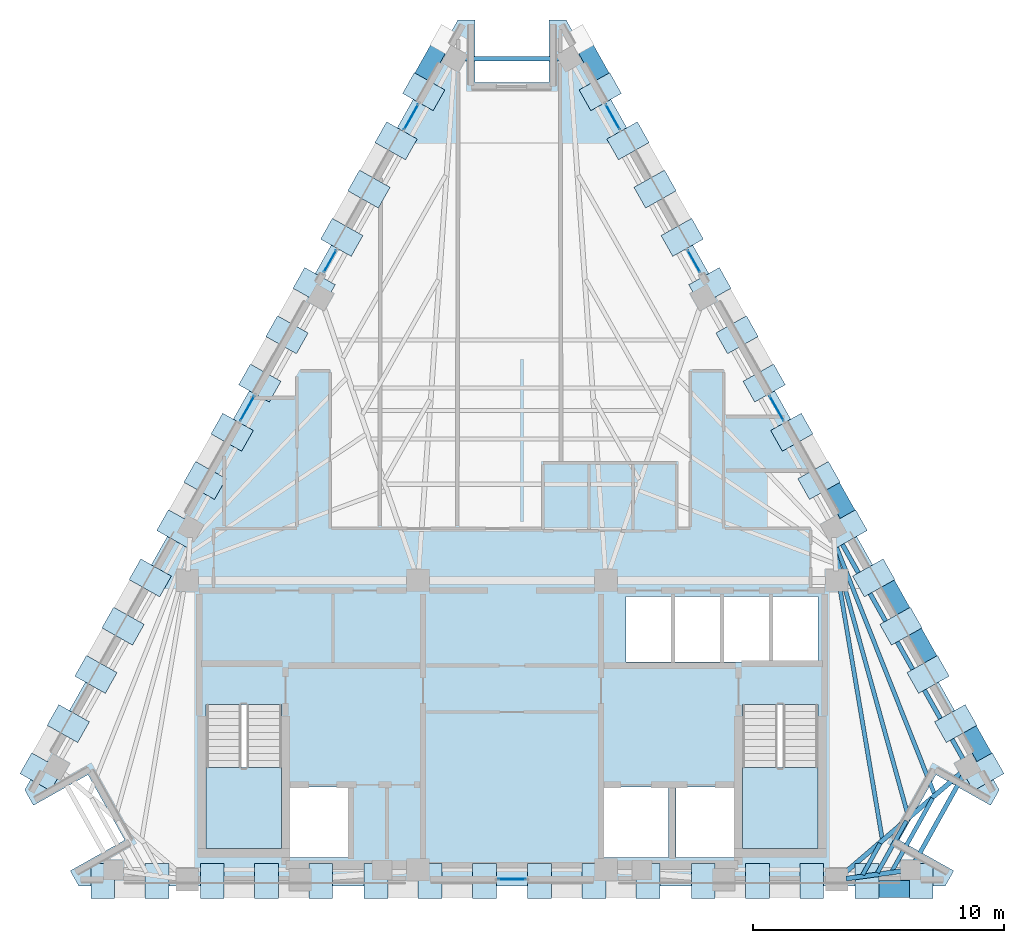
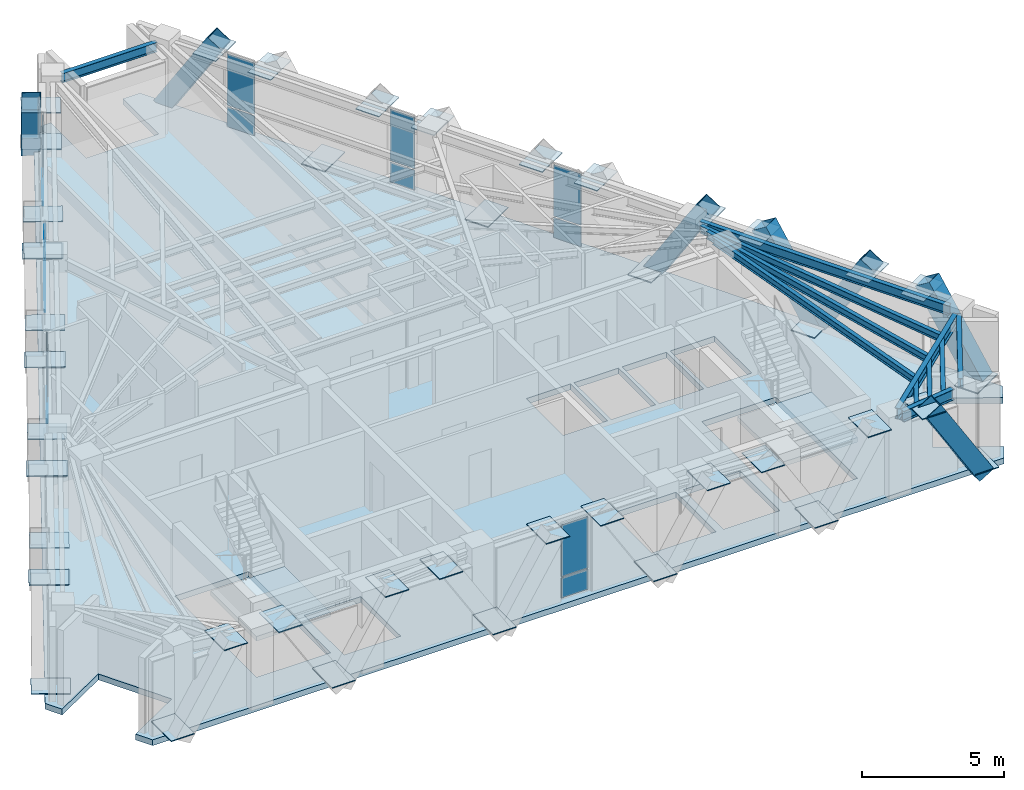
# One storey, part 4 of 9: 60 plates, 11 beams, 7 members, 3 slabs, 9 elements without a shape of their own.
"""IFC4 building model written with IfcOpenShell, lengths in metres."""

from ifc_helpers import new_model, si_unit, direction, frame, origin, origin_2d, place, context, subcontext, project, spatial, polyline, rectangle, hollow_rectangle, i_section, outline, extrude, material, layer, layer_set, material_profile, profile_set, type_object, element, aggregate, save


model = new_model("IFC4")

# Units and contexts
model_context = context("Model", 3, precision=1e-05, world=origin(), true_north=direction((0.0, 1.0)))
body_context = subcontext(model_context, "Body", "Model", "MODEL_VIEW")
ifc_project = project(units=[si_unit("LENGTHUNIT", "METRE"), si_unit("AREAUNIT", "SQUARE_METRE"), si_unit("VOLUMEUNIT", "CUBIC_METRE"), si_unit("PLANEANGLEUNIT", "RADIAN"), si_unit("MASSUNIT", "GRAM", prefix="KILO")], contexts=[model_context])

# Site, building, storey
site_placement = place(None, origin())
site = spatial("IfcSite", under=ifc_project, at=site_placement, CompositionType="ELEMENT")
building_placement = place(site_placement, origin())
building = spatial("IfcBuilding", under=site, at=building_placement, Name="Quenlor Broadcast Tower", CompositionType="ELEMENT")
storey_placement = place(building_placement, frame((0.0, 0.0, 260.39990234375)))
storey = spatial("IfcBuildingStorey", under=building, at=storey_placement, Name="L72", CompositionType="ELEMENT", Elevation=260.39990234375)

# Members
ifc_material_1 = material(Name="Steel S355", Category="steel")
ifc_material_profile_1 = material_profile(ifc_material_1, hollow_rectangle(XDim=0.679931640625, YDim=0.679931640625, WallThickness=0.02001953125, at=origin_2d()))
ifc_profile_set_1 = profile_set([ifc_material_profile_1], Name="Steel S355 RHS680x680x20")
member_type = type_object("IfcMemberType", Name="Perimeter Diagonal Lattice Brace Z5-Crown Steel S355 RHS680x20", PredefinedType="BRACE", material=ifc_profile_set_1)
member_placement = place(storey_placement, frame((16.31689453125, -17.1201171875, -0.119873046875), z_axis=(-0.523616565236, 0.0, 0.85195404372), x_axis=(0.0, -1.0, 0.0)))
element("IfcMember", 1, at=member_placement, inside=storey, type_object=member_type, Name="L72 Perimeter Diamond Lattice S-C1S", PredefinedType="BRACE", context=body_context, shape_type="SweptSolid", body=[
    extrude(hollow_rectangle(XDim=0.679931640625, YDim=0.679931640625, WallThickness=0.02001953125, at=origin_2d()), origin(), (0.0, 0.0, 1.0), 4.108154296875),
])
for number, where, z_axis, x_axis, name in (
    (2, (2.73681640625, 16.779296875, -0.119873046875), (0.260618804175, -0.463276364439, 0.847025884529), (0.8715547569, 0.490298180422, 0.0), "L72 Perimeter Diamond Lattice NE-C1S"),
    (3, (12.5458984375, -0.6591796875, -0.119873046875), (0.260618804175, -0.463276364439, 0.847025884529), (0.8715547569, 0.490298180422, 0.0), "L72 Perimeter Diamond Lattice NE-C4S"),
    (4, (15.802490234375, -6.44873046875, -0.119873046875), (-0.260563732169, 0.463283497491, 0.847038926161), (-0.871602253711, -0.49021374045, 0.0), "L72 Perimeter Diamond Lattice NE-C4B"),
    (5, (15.815673828125, -6.471923828125, -0.119873046875), (0.260618804175, -0.463276364439, 0.847025884529), (0.8715547569, 0.490298180422, 0.0), "L72 Perimeter Diamond Lattice NE-C5S"),
    (6, (19.072265625, -12.261474609375, -0.119873046875), (-0.260563732169, 0.463283497491, 0.847038926161), (-0.871602253711, -0.49021374045, 0.0), "L72 Perimeter Diamond Lattice NE-C5B"),
    (7, (-2.73681640625, 16.779296875, -0.119873046875), (-0.260618804175, -0.463276364439, 0.847025884529), (0.8715547569, -0.490298180422, 0.0), "L72 Perimeter Diamond Lattice NW-C5B"),
):
    element("IfcMember", number, at=place(storey_placement, frame(where, z_axis=z_axis, x_axis=x_axis)), inside=storey, type_object=member_type, Name=name, PredefinedType="BRACE", context=body_context, shape_type="SweptSolid", body=[
        extrude(hollow_rectangle(XDim=0.679931640625, YDim=0.679931640625, WallThickness=0.02001953125, at=origin_2d()), origin(), (0.0, 0.0, 1.0), 4.132080078125),
    ])

# Beams
ifc_material_2 = material(Name="Steel S355", Category="steel")
ifc_material_profile_2 = material_profile(ifc_material_2, i_section(OverallWidth=0.177978515625, OverallDepth=0.406494140625, WebThickness=0.0078125, FlangeThickness=0.0126953125, FilletRadius=0.011474609375, at=origin_2d()))
ifc_profile_set_2 = profile_set([ifc_material_profile_2], Name="Steel S355 410UB59.7")
beam_type_1 = type_object("IfcBeamType", Name="Perimeter Spandrel Beam Z5 Steel S355 410UB59.7", PredefinedType="SPANDREL", material=ifc_profile_set_2)
beam_1_placement = place(storey_placement, frame((16.07275390625, -16.035400390625, 3.046875), z_axis=(0.486800618374, 0.873513112638, 0.0), x_axis=(-0.873513112638, 0.486800618374, 0.0)))
element("IfcBeam", 8, at=beam_1_placement, inside=storey, type_object=beam_type_1, Name="L72 Spandrel Beam S4-NE1", PredefinedType="SPANDREL", context=body_context, shape_type="SweptSolid", body=[
    extrude(i_section(OverallWidth=0.177978515625, OverallDepth=0.406494140625, WebThickness=0.0078125, FlangeThickness=0.0126953125, FilletRadius=0.011474609375, at=origin_2d()), origin(), (0.0, 0.0, 1.0), 3.9736328125),
])
beam_2_placement = place(storey_placement, frame((18.005859375, -11.93603515625, 3.046875), z_axis=(-0.490274867878, 0.871567871096, 0.0), x_axis=(-0.871567871096, -0.490274867878, 0.0)))
element("IfcBeam", 9, at=beam_2_placement, inside=storey, type_object=beam_type_1, Name="L72 Spandrel Beam NE1-NE2", PredefinedType="SPANDREL", context=body_context, shape_type="SweptSolid", body=[
    extrude(i_section(OverallWidth=0.177978515625, OverallDepth=0.406494140625, WebThickness=0.0078125, FlangeThickness=0.0126953125, FilletRadius=0.011474609375, at=origin_2d()), origin(), (0.0, 0.0, 1.0), 10.206298828125),
])
beam_3_placement = place(storey_placement, frame((1.9248046875, 16.012451171875, 3.046875), z_axis=(-1.0, 0.0, 0.0), x_axis=(0.0, -1.0, 0.0)))
element("IfcBeam", 10, at=beam_3_placement, inside=storey, type_object=beam_type_1, Name="L72 Spandrel Beam NE4-NW1", PredefinedType="SPANDREL", context=body_context, shape_type="SweptSolid", body=[
    extrude(i_section(OverallWidth=0.177978515625, OverallDepth=0.406494140625, WebThickness=0.0078125, FlangeThickness=0.0126953125, FilletRadius=0.011474609375, at=origin_2d()), origin(), (0.0, 0.0, 1.0), 3.849609375),
])
ifc_material_3 = material(Name="Steel S355", Category="steel")
ifc_material_profile_3 = material_profile(ifc_material_3, i_section(OverallWidth=0.166015625, OverallDepth=0.30712890625, WebThickness=0.006591796875, FlangeThickness=0.01171875, FilletRadius=0.011474609375, at=origin_2d()))
ifc_profile_set_3 = profile_set([ifc_material_profile_3], Name="Steel S355 310UB46.2")
beam_type_2 = type_object("IfcBeamType", Name="Tower Composite Joist Z4-Z5 Steel S355 310UB46.2", PredefinedType="JOIST", material=ifc_profile_set_3)
beam_4_placement = place(storey_placement, frame((14.76806640625, -15.09619140625, 3.096435546875), z_axis=(-0.166553293246, 0.986032454085, 0.0), x_axis=(-0.986032454085, -0.166553293246, 0.0)))
element("IfcBeam", 11, at=beam_4_placement, inside=storey, type_object=beam_type_2, Name="L72 Secondary Composite Joist 16", PredefinedType="JOIST", context=body_context, shape_type="SweptSolid", body=[
    extrude(i_section(OverallWidth=0.166015625, OverallDepth=0.30712890625, WebThickness=0.006591796875, FlangeThickness=0.01171875, FilletRadius=0.011474609375, at=origin_2d()), origin(), (0.0, 0.0, 1.0), 11.097900390625),
])
beam_5_placement = place(storey_placement, frame((15.806396484375, -14.197998046875, 3.096435546875), z_axis=(-0.26744552871, 0.96357298072, 0.0), x_axis=(-0.96357298072, -0.26744552871, 0.0)))
element("IfcBeam", 12, at=beam_5_placement, inside=storey, type_object=beam_type_2, Name="L72 Secondary Composite Joist 17", PredefinedType="JOIST", context=body_context, shape_type="SweptSolid", body=[
    extrude(i_section(OverallWidth=0.166015625, OverallDepth=0.30712890625, WebThickness=0.006591796875, FlangeThickness=0.01171875, FilletRadius=0.011474609375, at=origin_2d()), origin(), (0.0, 0.0, 1.0), 10.856689453125),
])
beam_6_placement = place(storey_placement, frame((16.8447265625, -13.300537109375, 3.096435546875), z_axis=(-0.368680258049, 0.929556274426, 0.0), x_axis=(-0.929556274426, -0.368680258049, 0.0)))
element("IfcBeam", 13, at=beam_6_placement, inside=storey, type_object=beam_type_2, Name="L72 Secondary Composite Joist 18", PredefinedType="JOIST", context=body_context, shape_type="SweptSolid", body=[
    extrude(i_section(OverallWidth=0.166015625, OverallDepth=0.30712890625, WebThickness=0.006591796875, FlangeThickness=0.01171875, FilletRadius=0.011474609375, at=origin_2d()), origin(), (0.0, 0.0, 1.0), 10.737548828125),
])
beam_7_placement = place(storey_placement, frame((13.9912109375, -16.544189453125, 3.096435546875), z_axis=(0.486624304452, 0.873611347406, 0.0), x_axis=(-0.873611347406, 0.486624304452, 0.0)))
element("IfcBeam", 14, at=beam_7_placement, inside=storey, type_object=beam_type_2, Name="L72 Secondary Composite Joist 22", PredefinedType="JOIST", context=body_context, shape_type="SweptSolid", body=[
    extrude(i_section(OverallWidth=0.166015625, OverallDepth=0.30712890625, WebThickness=0.006591796875, FlangeThickness=0.01171875, FilletRadius=0.011474609375, at=origin_2d()), origin(), (0.0, 0.0, 1.0), 1.435791015625),
])
beam_8_placement = place(storey_placement, frame((14.58056640625, -16.464111328125, 3.096435546875), z_axis=(0.486820963037, 0.873501774439, 0.0), x_axis=(-0.873501774439, 0.486820963037, 0.0)))
element("IfcBeam", 15, at=beam_8_placement, inside=storey, type_object=beam_type_2, Name="L72 Secondary Composite Joist 23", PredefinedType="JOIST", context=body_context, shape_type="SweptSolid", body=[
    extrude(i_section(OverallWidth=0.166015625, OverallDepth=0.30712890625, WebThickness=0.006591796875, FlangeThickness=0.01171875, FilletRadius=0.011474609375, at=origin_2d()), origin(), (0.0, 0.0, 1.0), 2.37451171875),
])
beam_9_placement = place(storey_placement, frame((15.170166015625, -16.384033203125, 3.096435546875), z_axis=(0.486762404011, 0.873534408046, 0.0), x_axis=(-0.873534408046, 0.486762404011, 0.0)))
element("IfcBeam", 16, at=beam_9_placement, inside=storey, type_object=beam_type_2, Name="L72 Secondary Composite Joist 24", PredefinedType="JOIST", context=body_context, shape_type="SweptSolid", body=[
    extrude(i_section(OverallWidth=0.166015625, OverallDepth=0.30712890625, WebThickness=0.006591796875, FlangeThickness=0.01171875, FilletRadius=0.011474609375, at=origin_2d()), origin(), (0.0, 0.0, 1.0), 3.313232421875),
])
ifc_material_4 = material(Name="Steel S355", Category="steel")
ifc_material_profile_4 = material_profile(ifc_material_4, i_section(OverallWidth=0.19091796875, OverallDepth=0.46044921875, WebThickness=0.010009765625, FlangeThickness=0.01611328125, FilletRadius=0.011474609375, at=origin_2d()))
ifc_profile_set_4 = profile_set([ifc_material_profile_4], Name="Steel S355 460UB82.1")
beam_type_3 = type_object("IfcBeamType", Name="Tower Primary Floor Beam Z5 Steel S355 460UB82.1", PredefinedType="BEAM", material=ifc_profile_set_4)
beam_10_placement = place(storey_placement, frame((15.541015625, -16.3984375, 3.02001953125), z_axis=(-0.990917044125, -0.134474576267, 0.0), x_axis=(0.134474576267, -0.990917044125, 0.0)))
element("IfcBeam", 17, at=beam_10_placement, inside=storey, type_object=beam_type_3, Name="L72 Primary Radial Beam S4", PredefinedType="BEAM", context=body_context, shape_type="SweptSolid", body=[
    extrude(i_section(OverallWidth=0.19091796875, OverallDepth=0.46044921875, WebThickness=0.010009765625, FlangeThickness=0.01611328125, FilletRadius=0.011474609375, at=origin_2d()), origin(), (0.0, 0.0, 1.0), 2.23486328125),
])
beam_11_placement = place(storey_placement, frame((17.909423828125, -12.484619140625, 3.02001953125), z_axis=(-0.75817030855, -0.652056579779, 0.0), x_axis=(0.652056579779, -0.75817030855, 0.0)))
element("IfcBeam", 18, at=beam_11_placement, inside=storey, type_object=beam_type_3, Name="L72 Primary Radial Beam NE1", PredefinedType="BEAM", context=body_context, shape_type="SweptSolid", body=[
    extrude(i_section(OverallWidth=0.19091796875, OverallDepth=0.46044921875, WebThickness=0.010009765625, FlangeThickness=0.01611328125, FilletRadius=0.011474609375, at=origin_2d()), origin(), (0.0, 0.0, 1.0), 6.161376953125),
])

# Curtain wall, plates
ifc_material_5 = material(Name="Architectural Terracotta and Low-E Glazing", Category="masonry")
curtain_wall_type = type_object("IfcCurtainWallType", Name="Unitised Terracotta Curtain Wall System Z5", PredefinedType="NOTDEFINED", material=ifc_material_5)
curtain_wall_1_placement = place(storey_placement, origin())
curtain_wall_1 = element("IfcCurtainWall", 19, at=curtain_wall_1_placement, inside=storey, type_object=curtain_wall_type, Name="L72 Curtain Wall CW5 (L72-S-G1)", PredefinedType="NOTDEFINED")
ifc_material_6 = material(Name="Double Glazed Low-E Solar Glass", Category="glass")
ifc_layer_1 = layer(ifc_material_6, 0.02587890625)
ifc_layer_set_1 = layer_set([ifc_layer_1], Name="CW5 Double Glazed Vision Panel 26")
plate_type_1 = type_object("IfcPlateType", Name="CW5 Double Glazed Vision Panel 26", PredefinedType="CURTAIN_PANEL", material=ifc_layer_set_1)
plate_1_placement = place(storey_placement, frame((0.0, -16.72509765625, 0.065185546875), z_axis=(0.0, 0.0, 1.0), x_axis=(-1.0, 0.0, 0.0)))
plate_1 = element("IfcPlate", 20, at=plate_1_placement, type_object=plate_type_1, Name="CW5 panel 1.1", PredefinedType="CURTAIN_PANEL", context=body_context, shape_type="SweptSolid", body=[
    extrude(rectangle(XDim=1.082763671875, YDim=0.02587890625, at=origin_2d()), origin(), (0.0, 0.0, 1.0), 0.8525390625),
])
plate_2_placement = place(storey_placement, frame((0.0, -16.72509765625, 0.982421875), z_axis=(0.0, 0.0, 1.0), x_axis=(-1.0, 0.0, 0.0)))
plate_2 = element("IfcPlate", 21, at=plate_2_placement, type_object=plate_type_1, Name="CW5 panel 1.2", PredefinedType="CURTAIN_PANEL", context=body_context, shape_type="SweptSolid", body=[
    extrude(rectangle(XDim=1.082763671875, YDim=0.02587890625, at=origin_2d()), origin(), (0.0, 0.0, 1.0), 2.202392578125),
])
aggregate(curtain_wall_1, [plate_1, plate_2])

curtain_wall_2_placement = place(storey_placement, origin())
curtain_wall_2 = element("IfcCurtainWall", 22, at=curtain_wall_2_placement, inside=storey, type_object=curtain_wall_type, Name="L72 Curtain Wall CW5 (L72-NEA-G1)", PredefinedType="NOTDEFINED")
plate_3_placement = place(storey_placement, frame((4.02099609375, 13.69091796875, 0.065185546875), z_axis=(0.0, 0.0, 1.0), x_axis=(0.49029137745, -0.871558583916, 0.0)))
plate_3 = element("IfcPlate", 23, at=plate_3_placement, type_object=plate_type_1, Name="CW5 panel 1.1", PredefinedType="CURTAIN_PANEL", context=body_context, shape_type="SweptSolid", body=[
    extrude(rectangle(XDim=1.13037109375, YDim=0.02587890625, at=origin_2d()), origin(), (0.0, 0.0, 1.0), 0.8525390625),
])
plate_4_placement = place(storey_placement, frame((4.02099609375, 13.69091796875, 0.982421875), z_axis=(0.0, 0.0, 1.0), x_axis=(0.49029137745, -0.871558583916, 0.0)))
plate_4 = element("IfcPlate", 24, at=plate_4_placement, type_object=plate_type_1, Name="CW5 panel 1.2", PredefinedType="CURTAIN_PANEL", context=body_context, shape_type="SweptSolid", body=[
    extrude(rectangle(XDim=1.13037109375, YDim=0.02587890625, at=origin_2d()), origin(), (0.0, 0.0, 1.0), 2.202392578125),
])
aggregate(curtain_wall_2, [plate_3, plate_4])

curtain_wall_3_placement = place(storey_placement, origin())
curtain_wall_3 = element("IfcCurtainWall", 25, at=curtain_wall_3_placement, inside=storey, type_object=curtain_wall_type, Name="L72 Curtain Wall CW5 (L72-NEA-G2)", PredefinedType="NOTDEFINED")
plate_5_placement = place(storey_placement, frame((7.258056640625, 7.935791015625, 0.065185546875), z_axis=(0.0, 0.0, 1.0), x_axis=(0.490282293669, -0.871563693894, 0.0)))
plate_5 = element("IfcPlate", 26, at=plate_5_placement, type_object=plate_type_1, Name="CW5 panel 1.1", PredefinedType="CURTAIN_PANEL", context=body_context, shape_type="SweptSolid", body=[
    extrude(rectangle(XDim=0.99755859375, YDim=0.02587890625, at=origin_2d()), origin(), (0.0, 0.0, 1.0), 0.8525390625),
])
plate_6_placement = place(storey_placement, frame((7.258056640625, 7.935791015625, 0.982421875), z_axis=(0.0, 0.0, 1.0), x_axis=(0.490282293669, -0.871563693894, 0.0)))
plate_6 = element("IfcPlate", 27, at=plate_6_placement, type_object=plate_type_1, Name="CW5 panel 1.2", PredefinedType="CURTAIN_PANEL", context=body_context, shape_type="SweptSolid", body=[
    extrude(rectangle(XDim=0.99755859375, YDim=0.02587890625, at=origin_2d()), origin(), (0.0, 0.0, 1.0), 2.202392578125),
])
aggregate(curtain_wall_3, [plate_5, plate_6])

curtain_wall_4_placement = place(storey_placement, origin())
curtain_wall_4 = element("IfcCurtainWall", 28, at=curtain_wall_4_placement, inside=storey, type_object=curtain_wall_type, Name="L72 Curtain Wall CW5 (L72-NE-G1)", PredefinedType="NOTDEFINED")
plate_7_placement = place(storey_placement, frame((10.560302734375, 2.065185546875, 0.065185546875), z_axis=(0.0, 0.0, 1.0), x_axis=(0.490231100048, -0.871592489955, 0.0)))
plate_7 = element("IfcPlate", 29, at=plate_7_placement, type_object=plate_type_1, Name="CW5 panel 1.1", PredefinedType="CURTAIN_PANEL", context=body_context, shape_type="SweptSolid", body=[
    extrude(rectangle(XDim=1.130126953125, YDim=0.02587890625, at=origin_2d()), origin(), (0.0, 0.0, 1.0), 0.8525390625),
])
plate_8_placement = place(storey_placement, frame((10.560302734375, 2.065185546875, 0.982421875), z_axis=(0.0, 0.0, 1.0), x_axis=(0.490231100048, -0.871592489955, 0.0)))
plate_8 = element("IfcPlate", 30, at=plate_8_placement, type_object=plate_type_1, Name="CW5 panel 1.2", PredefinedType="CURTAIN_PANEL", context=body_context, shape_type="SweptSolid", body=[
    extrude(rectangle(XDim=1.130126953125, YDim=0.02587890625, at=origin_2d()), origin(), (0.0, 0.0, 1.0), 2.202392578125),
])
aggregate(curtain_wall_4, [plate_7, plate_8])

curtain_wall_5_placement = place(storey_placement, origin())
curtain_wall_5 = element("IfcCurtainWall", 31, at=curtain_wall_5_placement, inside=storey, type_object=curtain_wall_type, Name="L72 Curtain Wall CW5 (L72-NWC-G1)", PredefinedType="NOTDEFINED")
plate_9_placement = place(storey_placement, frame((-7.258056640625, 7.935791015625, 0.065185546875), z_axis=(0.0, 0.0, 1.0), x_axis=(0.490282293669, 0.871563693894, 0.0)))
plate_9 = element("IfcPlate", 32, at=plate_9_placement, type_object=plate_type_1, Name="CW5 panel 1.1", PredefinedType="CURTAIN_PANEL", context=body_context, shape_type="SweptSolid", body=[
    extrude(rectangle(XDim=0.99755859375, YDim=0.02587890625, at=origin_2d()), origin(), (0.0, 0.0, 1.0), 0.8525390625),
])
plate_10_placement = place(storey_placement, frame((-7.258056640625, 7.935791015625, 0.982421875), z_axis=(0.0, 0.0, 1.0), x_axis=(0.490282293669, 0.871563693894, 0.0)))
plate_10 = element("IfcPlate", 33, at=plate_10_placement, type_object=plate_type_1, Name="CW5 panel 1.2", PredefinedType="CURTAIN_PANEL", context=body_context, shape_type="SweptSolid", body=[
    extrude(rectangle(XDim=0.99755859375, YDim=0.02587890625, at=origin_2d()), origin(), (0.0, 0.0, 1.0), 2.202392578125),
])
aggregate(curtain_wall_5, [plate_9, plate_10])

curtain_wall_6_placement = place(storey_placement, origin())
curtain_wall_6 = element("IfcCurtainWall", 34, at=curtain_wall_6_placement, inside=storey, type_object=curtain_wall_type, Name="L72 Curtain Wall CW5 (L72-NWC-G2)", PredefinedType="NOTDEFINED")
plate_11_placement = place(storey_placement, frame((-4.02099609375, 13.69091796875, 0.065185546875), z_axis=(0.0, 0.0, 1.0), x_axis=(0.49029137745, 0.871558583916, 0.0)))
plate_11 = element("IfcPlate", 35, at=plate_11_placement, type_object=plate_type_1, Name="CW5 panel 1.1", PredefinedType="CURTAIN_PANEL", context=body_context, shape_type="SweptSolid", body=[
    extrude(rectangle(XDim=1.13037109375, YDim=0.02587890625, at=origin_2d()), origin(), (0.0, 0.0, 1.0), 0.8525390625),
])
plate_12_placement = place(storey_placement, frame((-4.02099609375, 13.69091796875, 0.982421875), z_axis=(0.0, 0.0, 1.0), x_axis=(0.49029137745, 0.871558583916, 0.0)))
plate_12 = element("IfcPlate", 36, at=plate_12_placement, type_object=plate_type_1, Name="CW5 panel 1.2", PredefinedType="CURTAIN_PANEL", context=body_context, shape_type="SweptSolid", body=[
    extrude(rectangle(XDim=1.13037109375, YDim=0.02587890625, at=origin_2d()), origin(), (0.0, 0.0, 1.0), 2.202392578125),
])
aggregate(curtain_wall_6, [plate_11, plate_12])

curtain_wall_7_placement = place(storey_placement, origin())
curtain_wall_7 = element("IfcCurtainWall", 37, at=curtain_wall_7_placement, inside=storey, type_object=curtain_wall_type, Name="L72 Curtain Wall CW5 (L72-NW-G1)", PredefinedType="NOTDEFINED")
plate_13_placement = place(storey_placement, frame((-10.560302734375, 2.065185546875, 0.065185546875), z_axis=(0.0, 0.0, 1.0), x_axis=(0.490231100048, 0.871592489955, 0.0)))
plate_13 = element("IfcPlate", 38, at=plate_13_placement, type_object=plate_type_1, Name="CW5 panel 1.1", PredefinedType="CURTAIN_PANEL", context=body_context, shape_type="SweptSolid", body=[
    extrude(rectangle(XDim=1.130126953125, YDim=0.02587890625, at=origin_2d()), origin(), (0.0, 0.0, 1.0), 0.8525390625),
])
plate_14_placement = place(storey_placement, frame((-10.560302734375, 2.065185546875, 0.982421875), z_axis=(0.0, 0.0, 1.0), x_axis=(0.490231100048, 0.871592489955, 0.0)))
plate_14 = element("IfcPlate", 39, at=plate_14_placement, type_object=plate_type_1, Name="CW5 panel 1.2", PredefinedType="CURTAIN_PANEL", context=body_context, shape_type="SweptSolid", body=[
    extrude(rectangle(XDim=1.130126953125, YDim=0.02587890625, at=origin_2d()), origin(), (0.0, 0.0, 1.0), 2.202392578125),
])
aggregate(curtain_wall_7, [plate_13, plate_14])

# Stair, slab
ifc_material_7 = material(Name="Precast concrete C40/50", Category="concrete")
stair_type = type_object("IfcStairType", Name="Precast Concrete C40/50 Dogleg Stair H350", PredefinedType="HALF_TURN_STAIR", material=ifc_material_7)
stair_1_placement = place(storey_placement, origin())
stair_1 = element("IfcStair", 40, at=stair_1_placement, inside=storey, type_object=stair_type, Name="L72 West Core Fire-Isolated Exit Stair ST-1", PredefinedType="HALF_TURN_STAIR")
ifc_material_8 = material(Name="Precast concrete C40/50", Category="concrete")
ifc_layer_2 = layer(ifc_material_8, 0.199951171875)
ifc_layer_set_2 = layer_set([ifc_layer_2], Name="Precast Concrete C40/50 Stair Landing Slab 200")
slab_type_1 = type_object("IfcSlabType", Name="Precast Concrete C40/50 Stair Landing Slab 200", PredefinedType="LANDING", material=ifc_layer_set_2)
slab_1_placement = place(storey_placement, frame((0.0, 0.0, 1.550048828125)))
slab_1 = element("IfcSlab", 41, at=slab_1_placement, type_object=slab_type_1, Name="ST-1 landing 1", PredefinedType="LANDING", context=body_context, shape_type="SweptSolid", body=[
    extrude(outline(polyline([(-12.199951171875, -12.27001953125), (-12.199951171875, -15.5), (-9.199951171875, -15.5), (-9.199951171875, -12.27001953125), (-12.199951171875, -12.27001953125)])), origin(), (0.0, 0.0, 1.0), 0.199951171875),
])
aggregate(stair_1, [slab_1])

stair_2_placement = place(storey_placement, origin())
stair_2 = element("IfcStair", 42, at=stair_2_placement, inside=storey, type_object=stair_type, Name="L72 East Core Fire-Isolated Exit Stair ST-2", PredefinedType="HALF_TURN_STAIR")
slab_2_placement = place(storey_placement, frame((0.0, 0.0, 1.550048828125)))
slab_2 = element("IfcSlab", 43, at=slab_2_placement, type_object=slab_type_1, Name="ST-2 landing 1", PredefinedType="LANDING", context=body_context, shape_type="SweptSolid", body=[
    extrude(outline(polyline([(9.199951171875, -12.27001953125), (9.199951171875, -15.5), (12.199951171875, -15.5), (12.199951171875, -12.27001953125), (9.199951171875, -12.27001953125)])), origin(), (0.0, 0.0, 1.0), 0.199951171875),
])
aggregate(stair_2, [slab_2])

# Slab
ifc_material_9 = material(Name="Concrete C40/50", Category="concrete")
ifc_layer_3 = layer(ifc_material_9, 0.25)
ifc_layer_set_3 = layer_set([ifc_layer_3], Name="Tower Composite Concrete C40/50 Slab 250")
slab_type_2 = type_object("IfcSlabType", Name="Tower Composite Concrete C40/50 Slab 250", PredefinedType="FLOOR", material=ifc_layer_set_3)
slab_3_placement = place(storey_placement, frame((0.0, 0.0, -0.25)))
element("IfcSlab", 44, at=slab_3_placement, inside=storey, type_object=slab_type_2, Name="L72 Structural Floor Slab", PredefinedType="FLOOR", context=body_context, shape_type="SweptSolid", body=[
    extrude(outline(polyline([(17.280029296875, -17.0), (17.62548828125, -16.385498046875), (15.44677734375, -15.159912109375), (16.91552734375, -12.548583984375), (19.094482421875, -13.7744140625), (19.43994140625, -13.159912109375), (2.159912109375, 17.56005859375), (1.46875, 17.56005859375), (1.46875, 15.06005859375), (-1.46875, 15.06005859375), (-1.46875, 17.56005859375), (-2.159912109375, 17.56005859375), (-19.43994140625, -13.159912109375), (-19.094482421875, -13.7744140625), (-16.91552734375, -12.548583984375), (-15.44677734375, -15.159912109375), (-17.62548828125, -16.385498046875), (-17.280029296875, -17.0), (17.280029296875, -17.0)]), holes=[polyline([(-12.199951171875, -9.758056640625), (-12.199951171875, -15.5), (-9.199951171875, -15.5), (-9.199951171875, -9.758056640625), (-12.199951171875, -9.758056640625)]), polyline([(9.199951171875, -9.758056640625), (9.199951171875, -15.5), (12.199951171875, -15.5), (12.199951171875, -9.758056640625), (9.199951171875, -9.758056640625)]), polyline([(4.550048828125, -8.050048828125), (6.35009765625, -8.050048828125), (6.35009765625, -5.449951171875), (4.550048828125, -5.449951171875), (4.550048828125, -8.050048828125)]), polyline([(6.5, -8.050048828125), (8.300048828125, -8.050048828125), (8.300048828125, -5.449951171875), (6.5, -5.449951171875), (6.5, -8.050048828125)]), polyline([(8.449951171875, -8.050048828125), (10.25, -8.050048828125), (10.25, -5.449951171875), (8.449951171875, -5.449951171875), (8.449951171875, -8.050048828125)]), polyline([(10.39990234375, -8.050048828125), (12.199951171875, -8.050048828125), (12.199951171875, -5.449951171875), (10.39990234375, -5.449951171875), (10.39990234375, -8.050048828125)]), polyline([(-8.85009765625, -15.85009765625), (-6.550048828125, -15.85009765625), (-6.550048828125, -13.050048828125), (-8.85009765625, -13.050048828125), (-8.85009765625, -15.85009765625)]), polyline([(6.550048828125, -15.85009765625), (8.85009765625, -15.85009765625), (8.85009765625, -13.050048828125), (6.550048828125, -13.050048828125), (6.550048828125, -15.85009765625)]), polyline([(3.64990234375, -15.85009765625), (6.25, -15.85009765625), (6.25, -13.050048828125), (3.64990234375, -13.050048828125), (3.64990234375, -15.85009765625)])]), origin(), (0.0, 0.0, 1.0), 0.25),
])

# Plates
ifc_material_10 = material(Name="Steel S355", Category="steel")
ifc_layer_4 = layer(ifc_material_10, 0.035888671875)
ifc_layer_set_4 = layer_set([ifc_layer_4], Name="Transfer Truss Steel S355 Gusset Node Plate 1400x950x36")
plate_type_2 = type_object("IfcPlateType", Name="Transfer Truss Steel S355 Gusset Node Plate 1400x950x36", PredefinedType="SHEET", material=ifc_layer_set_4)
for number, where, z_axis, x_axis, name in (
    (45, (16.330078125, -16.784912109375, 0.0419921875), (0.0, 0.0, 1.0), (0.0, -1.0, 0.0), "L72 Lattice Tie Gusset Node S-B0"),
    (46, (14.165771484375, -16.784912109375, 3.18212890625), (0.0, 0.0, 1.0), (0.0, -1.0, 0.0), "L72 Lattice Tie Gusset Node S-T1"),
    (47, (9.798095703125, -16.784912109375, 0.0419921875), (0.0, 0.0, 1.0), (0.0, -1.0, 0.0), "L72 Lattice Tie Gusset Node S-B3"),
    (48, (11.96240234375, -16.784912109375, 3.18212890625), (0.0, 0.0, 1.0), (0.0, -1.0, 0.0), "L72 Lattice Tie Gusset Node S-T2"),
    (49, (7.6337890625, -16.784912109375, 3.18212890625), (0.0, 0.0, 1.0), (0.0, -1.0, 0.0), "L72 Lattice Tie Gusset Node S-T4"),
    (50, (3.26611328125, -16.784912109375, 0.0419921875), (0.0, 0.0, 1.0), (0.0, -1.0, 0.0), "L72 Lattice Tie Gusset Node S-B6"),
    (51, (5.430419921875, -16.784912109375, 3.18212890625), (0.0, 0.0, 1.0), (0.0, -1.0, 0.0), "L72 Lattice Tie Gusset Node S-T5"),
    (52, (1.101806640625, -16.784912109375, 3.18212890625), (0.0, 0.0, 1.0), (0.0, -1.0, 0.0), "L72 Lattice Tie Gusset Node S-T7"),
    (53, (-3.26611328125, -16.784912109375, 0.0419921875), (0.0, 0.0, 1.0), (0.0, -1.0, 0.0), "L72 Lattice Tie Gusset Node S-B9"),
    (54, (-1.101806640625, -16.784912109375, 3.18212890625), (0.0, 0.0, 1.0), (0.0, -1.0, 0.0), "L72 Lattice Tie Gusset Node S-T8"),
    (55, (-5.430419921875, -16.784912109375, 3.18212890625), (0.0, 0.0, 1.0), (0.0, -1.0, 0.0), "L72 Lattice Tie Gusset Node S-T10"),
    (56, (-9.798095703125, -16.784912109375, 0.0419921875), (0.0, 0.0, 1.0), (0.0, -1.0, 0.0), "L72 Lattice Tie Gusset Node S-B12"),
    (57, (-7.6337890625, -16.784912109375, 3.18212890625), (0.0, 0.0, 1.0), (0.0, -1.0, 0.0), "L72 Lattice Tie Gusset Node S-T11"),
    (58, (-11.96240234375, -16.784912109375, 3.18212890625), (0.0, 0.0, 1.0), (0.0, -1.0, 0.0), "L72 Lattice Tie Gusset Node S-T13"),
    (59, (-16.330078125, -16.784912109375, 0.0419921875), (0.0, 0.0, 1.0), (0.0, -1.0, 0.0), "L72 Lattice Tie Gusset Node S-B15"),
    (60, (-14.165771484375, -16.784912109375, 3.18212890625), (0.0, 0.0, 1.0), (0.0, -1.0, 0.0), "L72 Lattice Tie Gusset Node S-T14"),
    (61, (3.521728515625, 14.70068359375, 3.18212890625), (0.0, 0.0, 1.0), (0.871556314255, 0.490295412055, 0.0), "L72 Lattice Tie Gusset Node NE-T1"),
    (62, (5.7080078125, 10.813720703125, 0.0419921875), (0.0, 0.0, 1.0), (0.871556314255, 0.490295412055, 0.0), "L72 Lattice Tie Gusset Node NE-B3"),
    (63, (4.624755859375, 12.73974609375, 3.18212890625), (0.0, 0.0, 1.0), (0.871556314255, 0.490295412055, 0.0), "L72 Lattice Tie Gusset Node NE-T2"),
    (64, (6.79150390625, 8.8876953125, 3.18212890625), (0.0, 0.0, 1.0), (0.871556314255, 0.490295412055, 0.0), "L72 Lattice Tie Gusset Node NE-T4"),
    (65, (8.977783203125, 5.0009765625, 0.0419921875), (0.0, 0.0, 1.0), (0.871556314255, 0.490295412055, 0.0), "L72 Lattice Tie Gusset Node NE-B6"),
    (66, (7.894287109375, 6.927001953125, 3.18212890625), (0.0, 0.0, 1.0), (0.871556314255, 0.490295412055, 0.0), "L72 Lattice Tie Gusset Node NE-T5"),
    (67, (10.06103515625, 3.074951171875, 3.18212890625), (0.0, 0.0, 1.0), (0.871556314255, 0.490295412055, 0.0), "L72 Lattice Tie Gusset Node NE-T7"),
    (68, (12.247314453125, -0.811767578125, 0.0419921875), (0.0, 0.0, 1.0), (0.871556314255, 0.490295412055, 0.0), "L72 Lattice Tie Gusset Node NE-B9"),
    (69, (11.1640625, 1.1142578125, 3.18212890625), (0.0, 0.0, 1.0), (0.871556314255, 0.490295412055, 0.0), "L72 Lattice Tie Gusset Node NE-T8"),
    (70, (13.330810546875, -2.73779296875, 3.18212890625), (0.0, 0.0, 1.0), (0.871556314255, 0.490295412055, 0.0), "L72 Lattice Tie Gusset Node NE-T10"),
    (71, (15.51708984375, -6.62451171875, 0.0419921875), (0.0, 0.0, 1.0), (0.871556314255, 0.490295412055, 0.0), "L72 Lattice Tie Gusset Node NE-B12"),
    (72, (14.433837890625, -4.698486328125, 3.18212890625), (0.0, 0.0, 1.0), (0.871556314255, 0.490295412055, 0.0), "L72 Lattice Tie Gusset Node NE-T11"),
    (73, (16.6005859375, -8.550537109375, 3.18212890625), (0.0, 0.0, 1.0), (0.871556314255, 0.490295412055, 0.0), "L72 Lattice Tie Gusset Node NE-T13"),
    (74, (18.786865234375, -12.4375, 0.0419921875), (0.0, 0.0, 1.0), (0.871556314255, 0.490295412055, 0.0), "L72 Lattice Tie Gusset Node NE-B15"),
    (75, (17.70361328125, -10.511474609375, 3.18212890625), (0.0, 0.0, 1.0), (0.871556314255, 0.490295412055, 0.0), "L72 Lattice Tie Gusset Node NE-T14"),
    (76, (-18.786865234375, -12.4375, 0.0419921875), (0.0, 0.0, 1.0), (-0.871556314255, 0.490295412055, 0.0), "L72 Lattice Tie Gusset Node NW-B0"),
    (77, (-17.70361328125, -10.511474609375, 3.18212890625), (0.0, 0.0, 1.0), (-0.871556314255, 0.490295412055, 0.0), "L72 Lattice Tie Gusset Node NW-T1"),
    (78, (-15.51708984375, -6.62451171875, 0.0419921875), (0.0, 0.0, 1.0), (-0.871556314255, 0.490295412055, 0.0), "L72 Lattice Tie Gusset Node NW-B3"),
    (79, (-16.6005859375, -8.550537109375, 3.18212890625), (0.0, 0.0, 1.0), (-0.871556314255, 0.490295412055, 0.0), "L72 Lattice Tie Gusset Node NW-T2"),
    (80, (-14.433837890625, -4.698486328125, 3.18212890625), (0.0, 0.0, 1.0), (-0.871556314255, 0.490295412055, 0.0), "L72 Lattice Tie Gusset Node NW-T4"),
    (81, (-12.247314453125, -0.811767578125, 0.0419921875), (0.0, 0.0, 1.0), (-0.871556314255, 0.490295412055, 0.0), "L72 Lattice Tie Gusset Node NW-B6"),
    (82, (-13.330810546875, -2.73779296875, 3.18212890625), (0.0, 0.0, 1.0), (-0.871556314255, 0.490295412055, 0.0), "L72 Lattice Tie Gusset Node NW-T5"),
    (83, (-11.1640625, 1.1142578125, 3.18212890625), (0.0, 0.0, 1.0), (-0.871556314255, 0.490295412055, 0.0), "L72 Lattice Tie Gusset Node NW-T7"),
    (84, (-8.977783203125, 5.0009765625, 0.0419921875), (0.0, 0.0, 1.0), (-0.871556314255, 0.490295412055, 0.0), "L72 Lattice Tie Gusset Node NW-B9"),
    (85, (-10.06103515625, 3.074951171875, 3.18212890625), (0.0, 0.0, 1.0), (-0.871556314255, 0.490295412055, 0.0), "L72 Lattice Tie Gusset Node NW-T8"),
    (86, (-7.894287109375, 6.927001953125, 3.18212890625), (0.0, 0.0, 1.0), (-0.871556314255, 0.490295412055, 0.0), "L72 Lattice Tie Gusset Node NW-T10"),
    (87, (-5.7080078125, 10.813720703125, 0.0419921875), (0.0, 0.0, 1.0), (-0.871556314255, 0.490295412055, 0.0), "L72 Lattice Tie Gusset Node NW-B12"),
    (88, (-6.79150390625, 8.8876953125, 3.18212890625), (0.0, 0.0, 1.0), (-0.871556314255, 0.490295412055, 0.0), "L72 Lattice Tie Gusset Node NW-T11"),
    (89, (-4.624755859375, 12.73974609375, 3.18212890625), (0.0, 0.0, 1.0), (-0.871556314255, 0.490295412055, 0.0), "L72 Lattice Tie Gusset Node NW-T13"),
    (90, (-3.521728515625, 14.70068359375, 3.18212890625), (0.0, 0.0, 1.0), (-0.871556314255, 0.490295412055, 0.0), "L72 Lattice Tie Gusset Node NW-T14"),
):
    element("IfcPlate", number, at=place(storey_placement, frame(where, z_axis=z_axis, x_axis=x_axis)), inside=storey, type_object=plate_type_2, Name=name, PredefinedType="SHEET", context=body_context, shape_type="SweptSolid", body=[
        extrude(rectangle(XDim=1.39990234375, YDim=0.949951171875, at=origin_2d()), origin(), (0.0, 0.0, 1.0), 0.035888671875),
    ])

save(model, "model.ifc")
